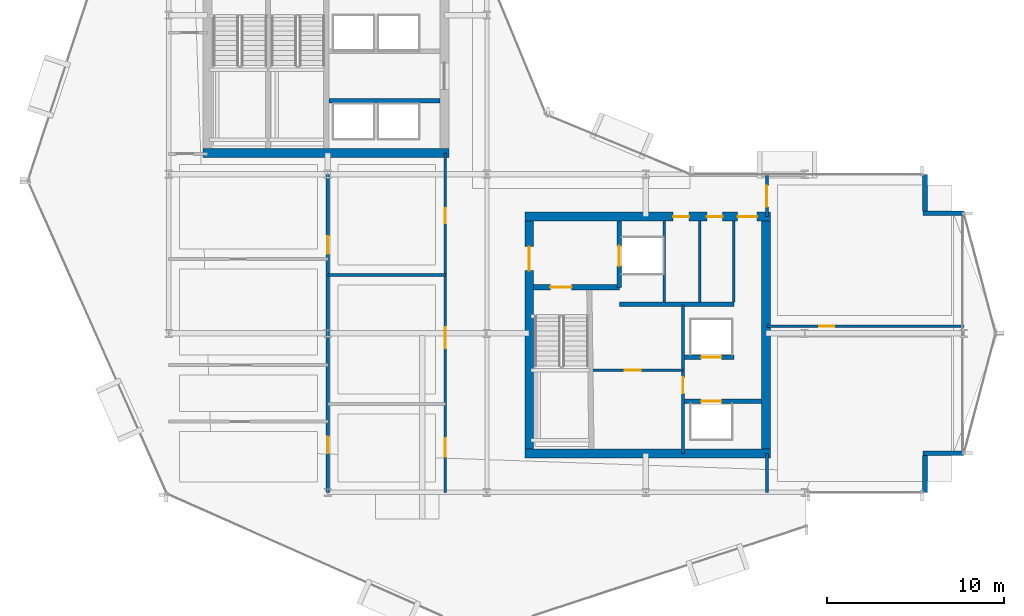
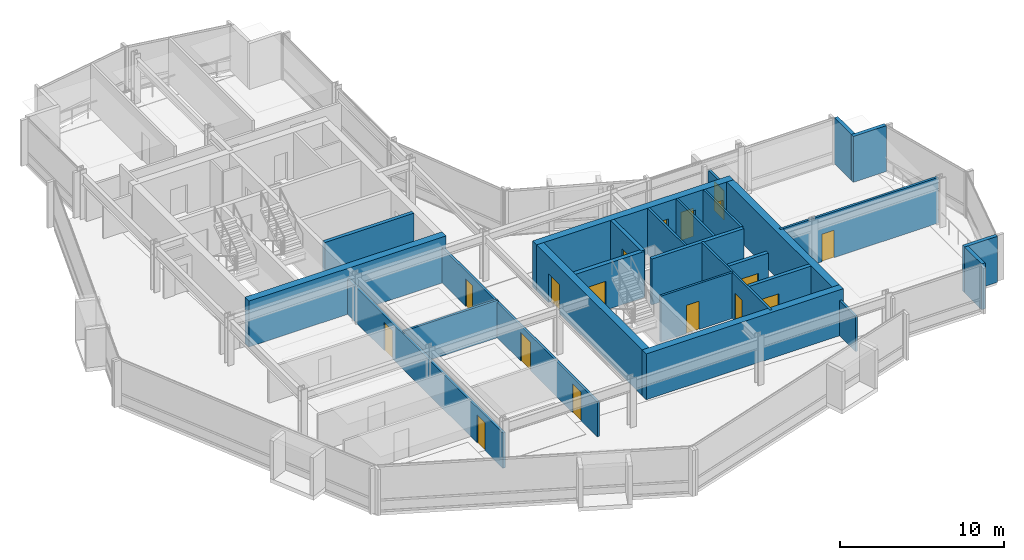
# One storey, part 22 of 29: 26 walls, 17 doors, 17 openings.
"""IFC4 building model written with IfcOpenShell, lengths in metres."""

import ifcopenshell
import ifcopenshell.guid

model = None  # the IFC model being written
_history = None  # IfcOwnerHistory: only IFC2X3 demands one
_inside = {}  # id of a spatial element -> (the spatial element, [elements in it])
_under = {}  # id of a project, library or spatial element -> (it, [spatial elements below it])
_declared = {}  # id of a project -> (the project, [libraries it declares])
_typed = {}  # id of a type object -> (the type object, [elements of that type])
_made_of = {}  # id of a material, layer set ... -> (it, [elements and type objects made of it])


def new_model(schema):
    """Start an empty IFC model of exactly this schema.

    Asked for "IFC4X3", IfcOpenShell would pick the latest addendum, in which some entities
    have other attributes; the version numbers below select the first issue.
    IFC2X3 requires an IfcOwnerHistory on every rooted entity: one is made here for all.
    """
    global model, _history
    if schema == "IFC4X3":
        model = ifcopenshell.file(schema_version=(4, 3, 0, 0))
    else:
        model = ifcopenshell.file(schema=schema)
    _inside.clear()
    _under.clear()
    _declared.clear()
    _typed.clear()
    _made_of.clear()
    _history = None
    if model.schema == "IFC2X3":
        org = make("IfcOrganization", Name="unknown")
        user = make(
            "IfcPersonAndOrganization",
            ThePerson=make("IfcPerson", FamilyName="unknown"),
            TheOrganization=org,
        )
        app = make(
            "IfcApplication",
            ApplicationDeveloper=org,
            Version="unknown",
            ApplicationFullName="unknown",
            ApplicationIdentifier="unknown",
        )
        _history = make(
            "IfcOwnerHistory",
            OwningUser=user,
            OwningApplication=app,
            ChangeAction="ADDED",
            CreationDate=0,
        )
    return model


def make(cls, **values):
    """One entity of the class cls with the attributes given. An attribute that is None is left unset."""
    return model.create_entity(
        cls, **{name: value for name, value in values.items() if value is not None}
    )


def rooted(cls, **values):
    """An entity with a GlobalId (a new one), such as an element, a storey or a relation."""
    return make(cls, GlobalId=ifcopenshell.guid.new(), OwnerHistory=_history, **values)


def si_unit(unit_type, name, prefix=None):
    """IfcSIUnit, for example si_unit("LENGTHUNIT", "METRE", prefix="MILLI")."""
    return make("IfcSIUnit", UnitType=unit_type, Prefix=prefix, Name=name)


def assignment(units):
    """IfcUnitAssignment: the units of a project."""
    return None if units is None else make("IfcUnitAssignment", Units=units)


def point(xyz):
    """IfcCartesianPoint."""
    return None if xyz is None else make("IfcCartesianPoint", Coordinates=xyz)


def direction(xyz):
    """IfcDirection."""
    return None if xyz is None else make("IfcDirection", DirectionRatios=xyz)


def frame(location, z_axis=None, x_axis=None):
    """IfcAxis2Placement3D, a coordinate frame: its origin and axes. An axis left out is left unset."""
    return make(
        "IfcAxis2Placement3D",
        Location=point(location),
        Axis=direction(z_axis),
        RefDirection=direction(x_axis),
    )


def frame_2d(location, x_axis=None):
    """IfcAxis2Placement2D, a coordinate frame in the plane: its origin and x axis."""
    return make(
        "IfcAxis2Placement2D", Location=point(location), RefDirection=direction(x_axis)
    )


def origin():
    """The frame at (0, 0, 0) with its axes left unset."""
    return frame((0.0, 0.0, 0.0))


def place(relative_to, where):
    """IfcLocalPlacement: puts the frame where relative to a parent placement (None: the world)."""
    return make(
        "IfcLocalPlacement", PlacementRelTo=relative_to, RelativePlacement=where
    )


def context(
    kind, dimensions, precision=None, world=None, true_north=None, identifier=None
):
    """IfcGeometricRepresentationContext, for example the 3D "Model" context."""
    return make(
        "IfcGeometricRepresentationContext",
        ContextIdentifier=identifier,
        ContextType=kind,
        CoordinateSpaceDimension=dimensions,
        Precision=precision,
        WorldCoordinateSystem=world,
        TrueNorth=true_north,
    )


def subcontext(parent, identifier, kind, view, scale=None):
    """IfcGeometricRepresentationSubContext, for example "Body" below "Model"."""
    return make(
        "IfcGeometricRepresentationSubContext",
        ContextIdentifier=identifier,
        ContextType=kind,
        ParentContext=parent,
        TargetScale=scale,
        TargetView=view,
    )


def project(units=None, contexts=None):
    """IfcProject with its units and contexts."""
    return rooted(
        "IfcProject",
        Name="project",
        RepresentationContexts=contexts,
        UnitsInContext=assignment(units),
    )


def spatial(cls, under=None, at=None, **own):
    """A site, building, storey or space (cls), placed at a placement, below another one or the project."""
    s = rooted(cls, ObjectPlacement=at, **own)
    if under is not None:
        _under.setdefault(under.id(), (under, []))[1].append(s)
    return s


def profile(cls, at=None, kind="AREA", **sizes):
    """A parametric profile (cls). Its sizes go by their IFC names, for example OverallWidth=200.0."""
    return make(cls, ProfileType=kind, Position=at, **sizes)


def rectangle(**sizes):
    """IfcRectangleProfileDef."""
    return profile("IfcRectangleProfileDef", **sizes)


def extrude(swept, where, along, depth):
    """IfcExtrudedAreaSolid: the profile swept, set in the frame where, extruded along a direction by depth."""
    return make(
        "IfcExtrudedAreaSolid",
        SweptArea=swept,
        Position=where,
        ExtrudedDirection=direction(along),
        Depth=depth,
    )


def shape(context_of_items, identifier, shape_type, items):
    """IfcShapeRepresentation: the items that make up one representation, for example the "Body"."""
    return make(
        "IfcShapeRepresentation",
        ContextOfItems=context_of_items,
        RepresentationIdentifier=identifier,
        RepresentationType=shape_type,
        Items=items,
    )


def material(Name=None, Category=None):
    """IfcMaterial."""
    return make("IfcMaterial", Name=Name, Category=Category)


def layer(
    of_material, thickness, ventilated=None, Name=None, Category=None, Priority=None
):
    """IfcMaterialLayer: one layer of a wall or slab, of a material (None: an air gap)."""
    return make(
        "IfcMaterialLayer",
        Material=of_material,
        LayerThickness=thickness,
        IsVentilated=ventilated,
        Name=Name,
        Category=Category,
        Priority=Priority,
    )


def layer_set(layers, Name=None):
    """IfcMaterialLayerSet."""
    return make("IfcMaterialLayerSet", MaterialLayers=layers, LayerSetName=Name)


def made_of(thing, what):
    """Note that an element or type object is made of a material, layer set ...; save() writes the relation."""
    if what is not None:
        _made_of.setdefault(what.id(), (what, []))[1].append(thing)
    return thing


def type_object(cls, material=None, **own):
    """A type object (cls), such as IfcWallType, which elements share."""
    return made_of(rooted(cls, **own), material)


def element(
    cls,
    number,
    at=None,
    inside=None,
    cuts=None,
    type_object=None,
    material=None,
    context=None,
    identifier="Body",
    shape_type=None,
    held_by="IfcProductDefinitionShape",
    body=None,
    shapes=None,
    **own,
):
    """One element of the class cls, such as IfcWall. Its Tag is "e" and its number.

    at: its placement. inside: the storey or other place that contains it. cuts: it is an
    opening in that element (IfcRelVoidsElement). A single representation is given by context,
    identifier, shape_type and body (its items); several are given by shapes. held_by: the class
    of the entity that holds the representations. save() writes the other relations.
    """
    e = rooted(cls, Tag="e%d" % number, ObjectPlacement=at, **own)
    if body is not None:
        shapes = [shape(context, identifier, shape_type, body)]
    if shapes is not None:
        e.Representation = make(held_by, Representations=shapes)
    if inside is not None:
        _inside.setdefault(inside.id(), (inside, []))[1].append(e)
    if cuts is not None:
        rooted(
            "IfcRelVoidsElement", RelatingBuildingElement=cuts, RelatedOpeningElement=e
        )
    if type_object is not None:
        _typed.setdefault(type_object.id(), (type_object, []))[1].append(e)
    return made_of(e, material)


def fill(opening, filler):
    """IfcRelFillsElement: the door or window that sits in an opening."""
    return rooted(
        "IfcRelFillsElement",
        RelatingOpeningElement=opening,
        RelatedBuildingElement=filler,
    )


def aggregate(whole, parts):
    """IfcRelAggregates: a whole, such as a stair, and the parts it consists of."""
    return rooted("IfcRelAggregates", RelatingObject=whole, RelatedObjects=parts)


def save(model, path):
    """Write the relations noted so far, then the file.

    IfcRelAggregates (storeys below a building ...), IfcRelContainedInSpatialStructure (elements
    in a storey), IfcRelDefinesByType, IfcRelAssociatesMaterial and IfcRelDeclares: one each for
    every whole, place, type object, material and project.
    """
    for whole, parts in _under.values():
        aggregate(whole, parts)
    for where, things in _inside.values():
        rooted(
            "IfcRelContainedInSpatialStructure",
            RelatedElements=things,
            RelatingStructure=where,
        )
    for kind, things in _typed.values():
        rooted("IfcRelDefinesByType", RelatedObjects=things, RelatingType=kind)
    for what, things in _made_of.values():
        rooted("IfcRelAssociatesMaterial", RelatedObjects=things, RelatingMaterial=what)
    for by, libraries in _declared.values():
        rooted("IfcRelDeclares", RelatingContext=by, RelatedDefinitions=libraries)
    model.write(path)


model = new_model("IFC4")

# Units and contexts
model_context = context("Model", 3, precision=1e-05, world=origin(), true_north=direction((0.0, 1.0)))
body_context = subcontext(model_context, "Body", "Model", "MODEL_VIEW")
ifc_project = project(units=[si_unit("LENGTHUNIT", "METRE"), si_unit("AREAUNIT", "SQUARE_METRE"), si_unit("VOLUMEUNIT", "CUBIC_METRE"), si_unit("PLANEANGLEUNIT", "RADIAN"), si_unit("MASSUNIT", "GRAM", prefix="KILO")], contexts=[model_context])

# Site, building, storey
site_placement = place(None, origin())
site = spatial("IfcSite", under=ifc_project, at=site_placement, CompositionType="ELEMENT")
building_placement = place(site_placement, origin())
building = spatial("IfcBuilding", under=site, at=building_placement, Name="Solvaryn Broadcast Tower", CompositionType="ELEMENT")
storey_placement = place(building_placement, frame((0.0, 0.0, 128.5)))
storey = spatial("IfcBuildingStorey", under=building, at=storey_placement, Name="L31", CompositionType="ELEMENT", Elevation=128.5)

# Walls
ifc_material_1 = material(Name="Concrete f'c 70 MPa", Category="concrete")
ifc_layer_1 = layer(ifc_material_1, 0.5)
ifc_layer_set_1 = layer_set([ifc_layer_1], Name="CW-SHEAR-500")
wall_type_1 = type_object("IfcWallType", Name="CW-SHEAR-500", PredefinedType="SHEAR", material=ifc_layer_set_1)
for number, where, z_axis, x_axis, name in (
    (1, (10.949951171875, 28.199951171875, 0.0), (0.0, 0.0, 1.0), (1.0, 0.0, 0.0), "L31 West Core South Shear Wall"),
    (2, (29.14990234375, 11.199951171875, 0.0), (0.0, 0.0, 1.0), (1.0, 0.0, 0.0), "L31 East Core South Shear Wall"),
):
    element("IfcWall", number, at=place(storey_placement, frame(where, z_axis=z_axis, x_axis=x_axis)), inside=storey, type_object=wall_type_1, Name=name, PredefinedType="SHEAR", context=body_context, shape_type="SweptSolid", body=[
        extrude(rectangle(XDim=13.900146484375, YDim=0.5, at=frame_2d((6.9501953125, 0.0))), origin(), (0.0, 0.0, 1.0), 3.419921875),
    ])

# Wall, openings, doors
wall_1_placement = place(storey_placement, frame((43.050048828125, 24.60009765625, 0.0), z_axis=(0.0, 0.0, 1.0), x_axis=(-1.0, 0.0, 0.0)))
wall_1 = element("IfcWall", 3, at=wall_1_placement, inside=storey, type_object=wall_type_1, Name="L31 East Core North Shear Wall", PredefinedType="SHEAR", context=body_context, shape_type="SweptSolid", body=[
    extrude(rectangle(XDim=13.900146484375, YDim=0.5, at=frame_2d((6.9501953125, 0.0))), origin(), (0.0, 0.0, 1.0), 3.419921875),
])
opening_1_placement = place(wall_1_placement, frame((0.75, 0.0, 0.0)))
opening_1 = element("IfcOpeningElement", 4, at=opening_1_placement, cuts=wall_1, Name="Opening FD90C", PredefinedType="OPENING", context=body_context, shape_type="SweptSolid", body=[
    extrude(rectangle(XDim=1.10009765625, YDim=2.14990234375, at=frame_2d((0.550048828125, 1.074951171875))), frame((0.0, 0.260009765625, 0.0), z_axis=(0.0, -1.0, 0.0), x_axis=(1.0, 0.0, 0.0)), (0.0, 0.0, 1.0), 0.52001953125),
])
opening_2_placement = place(wall_1_placement, frame((2.699951171875, 0.0, 0.0)))
opening_2 = element("IfcOpeningElement", 5, at=opening_2_placement, cuts=wall_1, Name="Opening FD60C", PredefinedType="OPENING", context=body_context, shape_type="SweptSolid", body=[
    extrude(rectangle(XDim=0.89990234375, YDim=2.10009765625, at=frame_2d((0.449951171875, 1.050048828125))), frame((0.0, 0.260009765625, 0.0), z_axis=(0.0, -1.0, 0.0), x_axis=(1.0, 0.0, 0.0)), (0.0, 0.0, 1.0), 0.52001953125),
])
opening_3_placement = place(wall_1_placement, frame((4.60009765625, 0.0, 0.0)))
opening_3 = element("IfcOpeningElement", 6, at=opening_3_placement, cuts=wall_1, Name="Opening FD60C", PredefinedType="OPENING", context=body_context, shape_type="SweptSolid", body=[
    extrude(rectangle(XDim=0.89990234375, YDim=2.10009765625, at=frame_2d((0.449951171875, 1.050048828125))), frame((0.0, 0.260009765625, 0.0), z_axis=(0.0, -1.0, 0.0), x_axis=(1.0, 0.0, 0.0)), (0.0, 0.0, 1.0), 0.52001953125),
])
ifc_material_2 = material(Name="Flush Acoustic Steel and Timber Door Assembly", Category="steel")
door_type_1 = type_object("IfcDoorType", Name="FD60-SERV-900X2100", OperationType="NOTDEFINED", PredefinedType="DOOR", material=ifc_material_2)
door_1_placement = place(opening_2_placement, origin())
door_1 = element("IfcDoor", 7, at=door_1_placement, inside=storey, type_object=door_type_1, Name="L31 Staff Restroom Door", OperationType="SINGLE_SWING_LEFT", OverallHeight=2.10009765625, OverallWidth=0.89990234375, PredefinedType="DOOR", context=body_context, shape_type="SweptSolid", body=[
    extrude(rectangle(XDim=0.89990234375, YDim=2.10009765625, at=frame_2d((0.449951171875, 1.050048828125))), frame((0.0, 0.02490234375, 0.0), z_axis=(0.0, -1.0, 0.0), x_axis=(1.0, 0.0, 0.0)), (0.0, 0.0, 1.0), 0.050048828125),
])
fill(opening_2, door_1)
door_2_placement = place(opening_3_placement, origin())
door_2 = element("IfcDoor", 8, at=door_2_placement, inside=storey, type_object=door_type_1, Name="L31 Accessible WC Door", OperationType="SINGLE_SWING_RIGHT", OverallHeight=2.10009765625, OverallWidth=0.89990234375, PredefinedType="DOOR", context=body_context, shape_type="SweptSolid", body=[
    extrude(rectangle(XDim=0.89990234375, YDim=2.10009765625, at=frame_2d((0.449951171875, 1.050048828125))), frame((0.0, 0.02490234375, 0.0), z_axis=(0.0, -1.0, 0.0), x_axis=(1.0, 0.0, 0.0)), (0.0, 0.0, 1.0), 0.050048828125),
])
fill(opening_3, door_2)
ifc_material_3 = material(Name="Flush Acoustic Steel and Timber Door Assembly", Category="steel")
door_type_2 = type_object("IfcDoorType", Name="FD90-PLANT-1100X2150", OperationType="NOTDEFINED", PredefinedType="DOOR", material=ifc_material_3)
door_3_placement = place(opening_1_placement, origin())
door_3 = element("IfcDoor", 9, at=door_3_placement, inside=storey, type_object=door_type_2, Name="L31 East Core Lobby Corridor Door", OperationType="SINGLE_SWING_LEFT", OverallHeight=2.14990234375, OverallWidth=1.10009765625, PredefinedType="DOOR", context=body_context, shape_type="SweptSolid", body=[
    extrude(rectangle(XDim=1.10009765625, YDim=2.14990234375, at=frame_2d((0.550048828125, 1.074951171875))), frame((0.0, 0.02490234375, 0.0), z_axis=(0.0, -1.0, 0.0), x_axis=(1.0, 0.0, 0.0)), (0.0, 0.0, 1.0), 0.050048828125),
])
fill(opening_1, door_3)

# Wall, opening, door
wall_2_placement = place(storey_placement, frame((29.39990234375, 24.35009765625, 0.0), z_axis=(0.0, 0.0, 1.0), x_axis=(0.0, -1.0, 0.0)))
wall_2 = element("IfcWall", 10, at=wall_2_placement, inside=storey, type_object=wall_type_1, Name="L31 East Core West Shear Wall", PredefinedType="SHEAR", context=body_context, shape_type="SweptSolid", body=[
    extrude(rectangle(XDim=12.900146484375, YDim=0.5, at=frame_2d((6.4501953125, 0.0))), origin(), (0.0, 0.0, 1.0), 3.419921875),
])
opening_4_placement = place(wall_2_placement, frame((1.449951171875, 0.0, 0.0)))
opening_4 = element("IfcOpeningElement", 11, at=opening_4_placement, cuts=wall_2, Name="Opening FD90B", PredefinedType="OPENING", context=body_context, shape_type="SweptSolid", body=[
    extrude(rectangle(XDim=1.35009765625, YDim=2.14990234375, at=frame_2d((0.675048828125, 1.074951171875))), frame((0.0, 0.260009765625, 0.0), z_axis=(0.0, -1.0, 0.0), x_axis=(1.0, 0.0, 0.0)), (0.0, 0.0, 1.0), 0.52001953125),
])
ifc_material_4 = material(Name="Flush Acoustic Steel and Timber Door Assembly", Category="steel")
door_type_3 = type_object("IfcDoorType", Name="FD90-LOBBY-1350X2150", OperationType="NOTDEFINED", PredefinedType="DOOR", material=ifc_material_4)
door_4_placement = place(opening_4_placement, origin())
door_4 = element("IfcDoor", 12, at=door_4_placement, inside=storey, type_object=door_type_3, Name="L31 East FSAE Lobby Door", OperationType="SINGLE_SWING_RIGHT", OverallHeight=2.14990234375, OverallWidth=1.35009765625, PredefinedType="DOOR", context=body_context, shape_type="SweptSolid", body=[
    extrude(rectangle(XDim=1.35009765625, YDim=2.14990234375, at=frame_2d((0.675048828125, 1.074951171875))), frame((0.0, 0.02490234375, 0.0), z_axis=(0.0, -1.0, 0.0), x_axis=(1.0, 0.0, 0.0)), (0.0, 0.0, 1.0), 0.050048828125),
])
fill(opening_4, door_4)

# Walls
wall_3_placement = place(storey_placement, frame((42.800048828125, 11.449951171875, 0.0), z_axis=(0.0, 0.0, 1.0), x_axis=(0.0, 1.0, 0.0)))
element("IfcWall", 13, at=wall_3_placement, inside=storey, type_object=wall_type_1, Name="L31 East Core East Shear Wall", PredefinedType="SHEAR", context=body_context, shape_type="SweptSolid", body=[
    extrude(rectangle(XDim=12.900146484375, YDim=0.5, at=frame_2d((6.4501953125, 0.0))), origin(), (0.0, 0.0, 1.0), 3.419921875),
])
ifc_material_5 = material(Name="Concrete f'c 50 MPa", Category="concrete")
ifc_layer_2 = layer(ifc_material_5, 0.260009765625)
ifc_layer_set_2 = layer_set([ifc_layer_2], Name="EW-PIER-260")
wall_type_2 = type_object("IfcWallType", Name="EW-PIER-260", PredefinedType="SOLIDWALL", material=ifc_layer_set_2)
wall_4_placement = place(storey_placement, frame((51.800048828125, 9.0, 0.0), z_axis=(0.0, 0.0, 1.0), x_axis=(0.0, 1.0, 0.0)))
element("IfcWall", 14, at=wall_4_placement, inside=storey, type_object=wall_type_2, Name="L31 Notched Corner Pier Wall NSE1", PredefinedType="SOLIDWALL", context=body_context, shape_type="SweptSolid", body=[
    extrude(rectangle(XDim=2.080078125, YDim=0.260009765625, at=frame_2d((1.0400390625, 0.0))), origin(), (0.0, 0.0, 1.0), 3.419921875),
])
for number, where, z_axis, x_axis, name in (
    (15, (51.679931640625, 11.199951171875, 0.0), (0.0, 0.0, 1.0), (1.0, 0.0, 0.0), "L31 Notched Corner Pier Wall NSE2"),
    (16, (54.0, 24.800048828125, 0.0), (0.0, 0.0, 1.0), (-1.0, 0.0, 0.0), "L31 Notched Corner Pier Wall NEE1"),
):
    element("IfcWall", number, at=place(storey_placement, frame(where, z_axis=z_axis, x_axis=x_axis)), inside=storey, type_object=wall_type_2, Name=name, PredefinedType="SOLIDWALL", context=body_context, shape_type="SweptSolid", body=[
        extrude(rectangle(XDim=2.320068359375, YDim=0.260009765625, at=frame_2d((1.16015625, 0.0))), origin(), (0.0, 0.0, 1.0), 3.419921875),
    ])
wall_5_placement = place(storey_placement, frame((51.800048828125, 24.919921875, 0.0), z_axis=(0.0, 0.0, 1.0), x_axis=(0.0, 1.0, 0.0)))
element("IfcWall", 17, at=wall_5_placement, inside=storey, type_object=wall_type_2, Name="L31 Notched Corner Pier Wall NEE2", PredefinedType="SOLIDWALL", context=body_context, shape_type="SweptSolid", body=[
    extrude(rectangle(XDim=2.080078125, YDim=0.260009765625, at=frame_2d((1.0400390625, 0.0))), origin(), (0.0, 0.0, 1.0), 3.419921875),
])

# Wall, opening, door
ifc_material_6 = material(Name="Metal-Stud Service Core Partition")
ifc_layer_3 = layer(ifc_material_6, 0.14990234375)
ifc_layer_set_3 = layer_set([ifc_layer_3], Name="IW-PART-150")
wall_type_3 = type_object("IfcWallType", Name="IW-PART-150", PredefinedType="PARTITIONING", material=ifc_layer_set_3)
wall_6_placement = place(storey_placement, frame((33.0, 15.89990234375, 0.0), z_axis=(0.0, 0.0, 1.0), x_axis=(1.0, 0.0, 0.0)))
wall_6 = element("IfcWall", 18, at=wall_6_placement, inside=storey, type_object=wall_type_3, Name="L31 Interior Partition IW-L31-RPL-H", PredefinedType="PARTITIONING", context=body_context, shape_type="SweptSolid", body=[
    extrude(rectangle(XDim=5.10009765625, YDim=0.14990234375, at=frame_2d((2.550048828125, 0.0))), origin(), (0.0, 0.0, 1.0), 3.419921875),
])
opening_5_placement = place(wall_6_placement, frame((1.800048828125, 0.0, 0.0)))
opening_5 = element("IfcOpeningElement", 19, at=opening_5_placement, cuts=wall_6, Name="Opening FD60C", PredefinedType="OPENING", context=body_context, shape_type="SweptSolid", body=[
    extrude(rectangle(XDim=0.89990234375, YDim=2.10009765625, at=frame_2d((0.449951171875, 1.050048828125))), frame((0.0, 0.0849609375, 0.0), z_axis=(0.0, -1.0, 0.0), x_axis=(1.0, 0.0, 0.0)), (0.0, 0.0, 1.0), 0.169921875),
])
door_5_placement = place(opening_5_placement, origin())
door_5 = element("IfcDoor", 20, at=door_5_placement, inside=storey, type_object=door_type_1, Name="L31 Door DR-L31-RPL1", OperationType="SINGLE_SWING_RIGHT", OverallHeight=2.10009765625, OverallWidth=0.89990234375, PredefinedType="DOOR", context=body_context, shape_type="SweptSolid", body=[
    extrude(rectangle(XDim=0.89990234375, YDim=2.10009765625, at=frame_2d((0.449951171875, 1.050048828125))), frame((0.0, 0.02490234375, 0.0), z_axis=(0.0, -1.0, 0.0), x_axis=(1.0, 0.0, 0.0)), (0.0, 0.0, 1.0), 0.050048828125),
])
fill(opening_5, door_5)

wall_7_placement = place(storey_placement, frame((38.10009765625, 11.199951171875, 0.0), z_axis=(0.0, 0.0, 1.0), x_axis=(0.0, 1.0, 0.0)))
wall_7 = element("IfcWall", 21, at=wall_7_placement, inside=storey, type_object=wall_type_3, Name="L31 Interior Partition IW-L31-RPL-E", PredefinedType="PARTITIONING", context=body_context, shape_type="SweptSolid", body=[
    extrude(rectangle(XDim=8.400146484375, YDim=0.14990234375, at=frame_2d((4.2001953125, 0.0))), origin(), (0.0, 0.0, 1.0), 3.419921875),
])
opening_6_placement = place(wall_7_placement, frame((3.39990234375, 0.0, 0.0)))
opening_6 = element("IfcOpeningElement", 22, at=opening_6_placement, cuts=wall_7, Name="Opening FD60C", PredefinedType="OPENING", context=body_context, shape_type="SweptSolid", body=[
    extrude(rectangle(XDim=0.89990234375, YDim=2.10009765625, at=frame_2d((0.449951171875, 1.050048828125))), frame((0.0, 0.0849609375, 0.0), z_axis=(0.0, -1.0, 0.0), x_axis=(1.0, 0.0, 0.0)), (0.0, 0.0, 1.0), 0.169921875),
])
door_6_placement = place(opening_6_placement, origin())
door_6 = element("IfcDoor", 23, at=door_6_placement, inside=storey, type_object=door_type_1, Name="L31 Door DR-L31-RPL2", OperationType="SINGLE_SWING_LEFT", OverallHeight=2.10009765625, OverallWidth=0.89990234375, PredefinedType="DOOR", context=body_context, shape_type="SweptSolid", body=[
    extrude(rectangle(XDim=0.89990234375, YDim=2.10009765625, at=frame_2d((0.449951171875, 1.050048828125))), frame((0.0, 0.02490234375, 0.0), z_axis=(0.0, -1.0, 0.0), x_axis=(1.0, 0.0, 0.0)), (0.0, 0.0, 1.0), 0.050048828125),
])
fill(opening_6, door_6)

# Walls
for number, where, z_axis, x_axis, name in (
    (24, (37.050048828125, 19.780029296875, 0.0), (0.0, 0.0, 1.0), (0.0, 1.0, 0.0), "L31 Interior Partition IW-L31-CE-FL2E"),
    (25, (39.050048828125, 19.780029296875, 0.0), (0.0, 0.0, 1.0), (0.0, 1.0, 0.0), "L31 Interior Partition IW-L31-CE-V1"),
    (26, (40.97998046875, 19.780029296875, 0.0), (0.0, 0.0, 1.0), (0.0, 1.0, 0.0), "L31 Interior Partition IW-L31-CE-V3"),
):
    element("IfcWall", number, at=place(storey_placement, frame(where, z_axis=z_axis, x_axis=x_axis)), inside=storey, type_object=wall_type_3, Name=name, PredefinedType="PARTITIONING", context=body_context, shape_type="SweptSolid", body=[
        extrude(rectangle(XDim=4.570068359375, YDim=0.14990234375, at=frame_2d((2.28515625, 0.0))), origin(), (0.0, 0.0, 1.0), 3.419921875),
    ])

# Wall, openings, doors
ifc_material_7 = material(Name="Metal-Stud Gypsum Office Partition")
ifc_layer_4 = layer(ifc_material_7, 0.159912109375)
ifc_layer_set_4 = layer_set([ifc_layer_4], Name="IW-PART-160")
wall_type_4 = type_object("IfcWallType", Name="IW-PART-160", PredefinedType="PARTITIONING", material=ifc_layer_set_4)
wall_8_placement = place(storey_placement, frame((24.64990234375, 9.0, 0.0), z_axis=(0.0, 0.0, 1.0), x_axis=(0.0, 1.0, 0.0)))
wall_8 = element("IfcWall", 27, at=wall_8_placement, inside=storey, type_object=wall_type_4, Name="L31 Interior Partition IW-L31-SW-EB", PredefinedType="PARTITIONING", context=body_context, shape_type="SweptSolid", body=[
    extrude(rectangle(XDim=19.199951171875, YDim=0.159912109375, at=frame_2d((9.60009765625, 0.0))), origin(), (0.0, 0.0, 1.0), 2.634033203125),
])
opening_7_placement = place(wall_8_placement, frame((2.0, 0.0, 0.0)))
opening_7 = element("IfcOpeningElement", 28, at=opening_7_placement, cuts=wall_8, Name="Opening ID03", PredefinedType="OPENING", context=body_context, shape_type="SweptSolid", body=[
    extrude(rectangle(XDim=1.050048828125, YDim=2.14990234375, at=frame_2d((0.52490234375, 1.074951171875))), frame((0.0, 0.090087890625, 0.0), z_axis=(0.0, -1.0, 0.0), x_axis=(1.0, 0.0, 0.0)), (0.0, 0.0, 1.0), 0.179931640625),
])
opening_8_placement = place(wall_8_placement, frame((8.14990234375, 0.0, 0.0)))
opening_8 = element("IfcOpeningElement", 29, at=opening_8_placement, cuts=wall_8, Name="Opening ID04", PredefinedType="OPENING", context=body_context, shape_type="SweptSolid", body=[
    extrude(rectangle(XDim=1.199951171875, YDim=2.14990234375, at=frame_2d((0.60009765625, 1.074951171875))), frame((0.0, 0.090087890625, 0.0), z_axis=(0.0, -1.0, 0.0), x_axis=(1.0, 0.0, 0.0)), (0.0, 0.0, 1.0), 0.179931640625),
])
opening_9_placement = place(wall_8_placement, frame((15.215087890625, 0.0, 0.0)))
opening_9 = element("IfcOpeningElement", 30, at=opening_9_placement, cuts=wall_8, Name="Opening ID07", PredefinedType="OPENING", context=body_context, shape_type="SweptSolid", body=[
    extrude(rectangle(XDim=0.860107421875, YDim=2.050048828125, at=frame_2d((0.43017578125, 1.02490234375))), frame((0.0, 0.090087890625, 0.0), z_axis=(0.0, -1.0, 0.0), x_axis=(1.0, 0.0, 0.0)), (0.0, 0.0, 1.0), 0.179931640625),
])
ifc_material_8 = material(Name="Flush Acoustic Steel and Timber Door Assembly", Category="steel")
door_type_4 = type_object("IfcDoorType", Name="ID-03-1050X2150", OperationType="NOTDEFINED", PredefinedType="DOOR", material=ifc_material_8)
door_7_placement = place(opening_7_placement, origin())
door_7 = element("IfcDoor", 31, at=door_7_placement, inside=storey, type_object=door_type_4, Name="L31 Door DR-L31-SWE-1", OperationType="SINGLE_SWING_LEFT", OverallHeight=2.14990234375, OverallWidth=1.050048828125, PredefinedType="DOOR", context=body_context, shape_type="SweptSolid", body=[
    extrude(rectangle(XDim=1.050048828125, YDim=2.14990234375, at=frame_2d((0.52490234375, 1.074951171875))), frame((0.0, 0.02490234375, 0.0), z_axis=(0.0, -1.0, 0.0), x_axis=(1.0, 0.0, 0.0)), (0.0, 0.0, 1.0), 0.050048828125),
])
fill(opening_7, door_7)
ifc_material_9 = material(Name="Flush Acoustic Steel and Timber Door Assembly", Category="steel")
door_type_5 = type_object("IfcDoorType", Name="ID-04-1200X2150", OperationType="NOTDEFINED", PredefinedType="DOOR", material=ifc_material_9)
door_8_placement = place(opening_8_placement, origin())
door_8 = element("IfcDoor", 32, at=door_8_placement, inside=storey, type_object=door_type_5, Name="L31 Door DR-L31-SWE-2", OperationType="SINGLE_SWING_RIGHT", OverallHeight=2.14990234375, OverallWidth=1.199951171875, PredefinedType="DOOR", context=body_context, shape_type="SweptSolid", body=[
    extrude(rectangle(XDim=1.199951171875, YDim=2.14990234375, at=frame_2d((0.60009765625, 1.074951171875))), frame((0.0, 0.02490234375, 0.0), z_axis=(0.0, -1.0, 0.0), x_axis=(1.0, 0.0, 0.0)), (0.0, 0.0, 1.0), 0.050048828125),
])
fill(opening_8, door_8)
ifc_material_10 = material(Name="Flush Acoustic Steel and Timber Door Assembly", Category="steel")
door_type_6 = type_object("IfcDoorType", Name="ID-07-860X2050", OperationType="NOTDEFINED", PredefinedType="DOOR", material=ifc_material_10)
door_9_placement = place(opening_9_placement, origin())
door_9 = element("IfcDoor", 33, at=door_9_placement, inside=storey, type_object=door_type_6, Name="L31 Door DR-L31-SWE-3", OperationType="SINGLE_SWING_LEFT", OverallHeight=2.050048828125, OverallWidth=0.860107421875, PredefinedType="DOOR", context=body_context, shape_type="SweptSolid", body=[
    extrude(rectangle(XDim=0.860107421875, YDim=2.050048828125, at=frame_2d((0.43017578125, 1.02490234375))), frame((0.0, 0.02490234375, 0.0), z_axis=(0.0, -1.0, 0.0), x_axis=(1.0, 0.0, 0.0)), (0.0, 0.0, 1.0), 0.050048828125),
])
fill(opening_9, door_9)

# Walls
wall_9_placement = place(storey_placement, frame((18.0, 21.300048828125, 0.0), z_axis=(0.0, 0.0, 1.0), x_axis=(1.0, 0.0, 0.0)))
element("IfcWall", 34, at=wall_9_placement, inside=storey, type_object=wall_type_4, Name="L31 Interior Partition IW-L31-SWE-H2", PredefinedType="PARTITIONING", context=body_context, shape_type="SweptSolid", body=[
    extrude(rectangle(XDim=6.64990234375, YDim=0.159912109375, at=frame_2d((3.324951171875, 0.0))), origin(), (0.0, 0.0, 1.0), 2.7919921875),
])
wall_10_placement = place(storey_placement, frame((42.85009765625, 9.0, 0.0), z_axis=(0.0, 0.0, 1.0), x_axis=(0.0, 1.0, 0.0)))
element("IfcWall", 35, at=wall_10_placement, inside=storey, type_object=wall_type_4, Name="L31 Interior Partition IW-L31-SC-E", PredefinedType="PARTITIONING", context=body_context, shape_type="SweptSolid", body=[
    extrude(rectangle(XDim=2.199951171875, YDim=0.159912109375, at=frame_2d((1.10009765625, 0.0))), origin(), (0.0, 0.0, 1.0), 2.634033203125),
])

# Wall, opening, door
wall_11_placement = place(storey_placement, frame((42.85009765625, 24.60009765625, 0.0), z_axis=(0.0, 0.0, 1.0), x_axis=(0.0, 1.0, 0.0)))
wall_11 = element("IfcWall", 36, at=wall_11_placement, inside=storey, type_object=wall_type_4, Name="L31 Interior Partition IW-L31-EW-BN", PredefinedType="PARTITIONING", context=body_context, shape_type="SweptSolid", body=[
    extrude(rectangle(XDim=2.39990234375, YDim=0.159912109375, at=frame_2d((1.199951171875, 0.0))), origin(), (0.0, 0.0, 1.0), 2.634033203125),
])
opening_10_placement = place(wall_11_placement, frame((0.550048828125, 0.0, 0.0)))
opening_10 = element("IfcOpeningElement", 37, at=opening_10_placement, cuts=wall_11, Name="Opening ID04", PredefinedType="OPENING", context=body_context, shape_type="SweptSolid", body=[
    extrude(rectangle(XDim=1.199951171875, YDim=2.14990234375, at=frame_2d((0.60009765625, 1.074951171875))), frame((0.0, 0.090087890625, 0.0), z_axis=(0.0, -1.0, 0.0), x_axis=(1.0, 0.0, 0.0)), (0.0, 0.0, 1.0), 0.179931640625),
])
door_10_placement = place(opening_10_placement, origin())
door_10 = element("IfcDoor", 38, at=door_10_placement, inside=storey, type_object=door_type_5, Name="L31 Door DR-L31-EW0", OperationType="SINGLE_SWING_RIGHT", OverallHeight=2.14990234375, OverallWidth=1.199951171875, PredefinedType="DOOR", context=body_context, shape_type="SweptSolid", body=[
    extrude(rectangle(XDim=1.199951171875, YDim=2.14990234375, at=frame_2d((0.60009765625, 1.074951171875))), frame((0.0, 0.02490234375, 0.0), z_axis=(0.0, -1.0, 0.0), x_axis=(1.0, 0.0, 0.0)), (0.0, 0.0, 1.0), 0.050048828125),
])
fill(opening_10, door_10)

wall_12_placement = place(storey_placement, frame((42.85009765625, 18.39990234375, 0.0), z_axis=(0.0, 0.0, 1.0), x_axis=(1.0, 0.0, 0.0)))
wall_12 = element("IfcWall", 39, at=wall_12_placement, inside=storey, type_object=wall_type_4, Name="L31 Interior Partition IW-L31-EW-H1", PredefinedType="PARTITIONING", context=body_context, shape_type="SweptSolid", body=[
    extrude(rectangle(XDim=11.14990234375, YDim=0.159912109375, at=frame_2d((5.574951171875, 0.0))), origin(), (0.0, 0.0, 1.0), 3.419921875),
])
opening_11_placement = place(wall_12_placement, frame((2.949951171875, 0.0, 0.0)))
opening_11 = element("IfcOpeningElement", 40, at=opening_11_placement, cuts=wall_12, Name="Opening ID07", PredefinedType="OPENING", context=body_context, shape_type="SweptSolid", body=[
    extrude(rectangle(XDim=0.860107421875, YDim=2.050048828125, at=frame_2d((0.43017578125, 1.02490234375))), frame((0.0, 0.090087890625, 0.0), z_axis=(0.0, -1.0, 0.0), x_axis=(1.0, 0.0, 0.0)), (0.0, 0.0, 1.0), 0.179931640625),
])
door_11_placement = place(opening_11_placement, origin())
door_11 = element("IfcDoor", 41, at=door_11_placement, inside=storey, type_object=door_type_6, Name="L31 Door DR-L31-EW-1", OperationType="SINGLE_SWING_LEFT", OverallHeight=2.050048828125, OverallWidth=0.860107421875, PredefinedType="DOOR", context=body_context, shape_type="SweptSolid", body=[
    extrude(rectangle(XDim=0.860107421875, YDim=2.050048828125, at=frame_2d((0.43017578125, 1.02490234375))), frame((0.0, 0.02490234375, 0.0), z_axis=(0.0, -1.0, 0.0), x_axis=(1.0, 0.0, 0.0)), (0.0, 0.0, 1.0), 0.050048828125),
])
fill(opening_11, door_11)

# Wall, openings, doors
ifc_material_11 = material(Name="Acoustic Metal-Stud Gypsum Partition")
ifc_layer_5 = layer(ifc_material_11, 0.179931640625)
ifc_layer_set_5 = layer_set([ifc_layer_5], Name="IW-PART-180")
wall_type_5 = type_object("IfcWallType", Name="IW-PART-180", PredefinedType="PARTITIONING", material=ifc_layer_set_5)
wall_13_placement = place(storey_placement, frame((18.0, 9.0, 0.0), z_axis=(0.0, 0.0, 1.0), x_axis=(0.0, 1.0, 0.0)))
wall_13 = element("IfcWall", 42, at=wall_13_placement, inside=storey, type_object=wall_type_5, Name="L31 Interior Partition IW-L31-SW-VX", PredefinedType="PARTITIONING", context=body_context, shape_type="SweptSolid", body=[
    extrude(rectangle(XDim=19.1298828125, YDim=0.179931640625, at=frame_2d((9.56494140625, 0.0))), origin(), (0.0, 0.0, 1.0), 2.634033203125),
])
opening_12_placement = place(wall_13_placement, frame((2.199951171875, 0.0, 0.0)))
opening_12 = element("IfcOpeningElement", 43, at=opening_12_placement, cuts=wall_13, Name="Opening ID01", PredefinedType="OPENING", context=body_context, shape_type="SweptSolid", body=[
    extrude(rectangle(XDim=0.949951171875, YDim=2.10009765625, at=frame_2d((0.47509765625, 1.050048828125))), frame((0.0, 0.099853515625, 0.0), z_axis=(0.0, -1.0, 0.0), x_axis=(1.0, 0.0, 0.0)), (0.0, 0.0, 1.0), 0.199951171875),
])
opening_13_placement = place(wall_13_placement, frame((13.5, 0.0, 0.0)))
opening_13 = element("IfcOpeningElement", 44, at=opening_13_placement, cuts=wall_13, Name="Opening ID02", PredefinedType="OPENING", context=body_context, shape_type="SweptSolid", body=[
    extrude(rectangle(XDim=1.0, YDim=2.10009765625, at=frame_2d((0.5, 1.050048828125))), frame((0.0, 0.099853515625, 0.0), z_axis=(0.0, -1.0, 0.0), x_axis=(1.0, 0.0, 0.0)), (0.0, 0.0, 1.0), 0.199951171875),
])
ifc_material_12 = material(Name="Flush Acoustic Steel and Timber Door Assembly", Category="steel")
door_type_7 = type_object("IfcDoorType", Name="ID-01-950X2100", OperationType="NOTDEFINED", PredefinedType="DOOR", material=ifc_material_12)
door_12_placement = place(opening_12_placement, origin())
door_12 = element("IfcDoor", 45, at=door_12_placement, inside=storey, type_object=door_type_7, Name="L31 Door DR-L31-SWW-X1", OperationType="SINGLE_SWING_RIGHT", OverallHeight=2.10009765625, OverallWidth=0.949951171875, PredefinedType="DOOR", context=body_context, shape_type="SweptSolid", body=[
    extrude(rectangle(XDim=0.949951171875, YDim=2.10009765625, at=frame_2d((0.47509765625, 1.050048828125))), frame((0.0, 0.02490234375, 0.0), z_axis=(0.0, -1.0, 0.0), x_axis=(1.0, 0.0, 0.0)), (0.0, 0.0, 1.0), 0.050048828125),
])
fill(opening_12, door_12)
ifc_material_13 = material(Name="Flush Acoustic Steel and Timber Door Assembly", Category="steel")
door_type_8 = type_object("IfcDoorType", Name="ID-02-1000X2100", OperationType="NOTDEFINED", PredefinedType="DOOR", material=ifc_material_13)
door_13_placement = place(opening_13_placement, origin())
door_13 = element("IfcDoor", 46, at=door_13_placement, inside=storey, type_object=door_type_8, Name="L31 Door DR-L31-SWW-X2", OperationType="SINGLE_SWING_LEFT", OverallHeight=2.10009765625, OverallWidth=1.0, PredefinedType="DOOR", context=body_context, shape_type="SweptSolid", body=[
    extrude(rectangle(XDim=1.0, YDim=2.10009765625, at=frame_2d((0.5, 1.050048828125))), frame((0.0, 0.02490234375, 0.0), z_axis=(0.0, -1.0, 0.0), x_axis=(1.0, 0.0, 0.0)), (0.0, 0.0, 1.0), 0.050048828125),
])
fill(opening_13, door_13)

# Wall
ifc_material_14 = material(Name="Concrete f'c 60 MPa", Category="concrete")
ifc_layer_6 = layer(ifc_material_14, 0.25)
ifc_layer_set_6 = layer_set([ifc_layer_6], Name="SW-SHAFT-250")
wall_type_6 = type_object("IfcWallType", Name="SW-SHAFT-250", PredefinedType="PARTITIONING", material=ifc_layer_set_6)
wall_14_placement = place(storey_placement, frame((18.070068359375, 31.14990234375, 0.0), z_axis=(0.0, 0.0, 1.0), x_axis=(1.0, 0.0, 0.0)))
element("IfcWall", 47, at=wall_14_placement, inside=storey, type_object=wall_type_6, Name="L31 High-Rise Lift Bank South Wall", PredefinedType="PARTITIONING", context=body_context, shape_type="SweptSolid", body=[
    extrude(rectangle(XDim=6.280029296875, YDim=0.25, at=frame_2d((3.14013671875, 0.0))), origin(), (0.0, 0.0, 1.0), 3.419921875),
])

# Wall, opening, door
wall_15_placement = place(storey_placement, frame((34.5, 20.60009765625, 0.0), z_axis=(0.0, 0.0, 1.0), x_axis=(0.0, 1.0, 0.0)))
wall_15 = element("IfcWall", 48, at=wall_15_placement, inside=storey, type_object=wall_type_6, Name="L31 East FSAE Lobby East Wall", PredefinedType="PARTITIONING", context=body_context, shape_type="SweptSolid", body=[
    extrude(rectangle(XDim=3.75, YDim=0.25, at=frame_2d((1.875, 0.0))), origin(), (0.0, 0.0, 1.0), 3.419921875),
])
opening_14_placement = place(wall_15_placement, frame((1.199951171875, 0.0, 0.0)))
opening_14 = element("IfcOpeningElement", 49, at=opening_14_placement, cuts=wall_15, Name="Opening LD01", PredefinedType="OPENING", context=body_context, shape_type="SweptSolid", body=[
    extrude(rectangle(XDim=1.14990234375, YDim=2.14990234375, at=frame_2d((0.574951171875, 1.074951171875))), frame((0.0, 0.135009765625, 0.0), z_axis=(0.0, -1.0, 0.0), x_axis=(1.0, 0.0, 0.0)), (0.0, 0.0, 1.0), 0.27001953125),
])
ifc_material_15 = material(Name="Flush Acoustic Steel and Timber Door Assembly", Category="steel")
door_type_9 = type_object("IfcDoorType", Name="LD-LIFT-1150X2150", OperationType="NOTDEFINED", PredefinedType="DOOR", material=ifc_material_15)
door_14_placement = place(opening_14_placement, origin())
door_14 = element("IfcDoor", 50, at=door_14_placement, inside=storey, type_object=door_type_9, Name="L31 FL2 Lift Landing Door", OperationType="DOUBLE_DOOR_SLIDING", OverallHeight=2.14990234375, OverallWidth=1.14990234375, PredefinedType="DOOR", context=body_context, shape_type="SweptSolid", body=[
    extrude(rectangle(XDim=1.14990234375, YDim=2.14990234375, at=frame_2d((0.574951171875, 1.074951171875))), frame((0.0, 0.02490234375, 0.0), z_axis=(0.0, -1.0, 0.0), x_axis=(1.0, 0.0, 0.0)), (0.0, 0.0, 1.0), 0.050048828125),
])
fill(opening_14, door_14)

# Wall
wall_16_placement = place(storey_placement, frame((34.5, 19.64990234375, 0.0), z_axis=(0.0, 0.0, 1.0), x_axis=(1.0, 0.0, 0.0)))
element("IfcWall", 51, at=wall_16_placement, inside=storey, type_object=wall_type_6, Name="L31 East Core Restroom South Wall", PredefinedType="PARTITIONING", context=body_context, shape_type="SweptSolid", body=[
    extrude(rectangle(XDim=6.47998046875, YDim=0.25, at=frame_2d((3.239990234375, 0.0))), origin(), (0.0, 0.0, 1.0), 3.419921875),
])

# Wall, opening, door
wall_17_placement = place(storey_placement, frame((38.199951171875, 14.14990234375, 0.0), z_axis=(0.0, 0.0, 1.0), x_axis=(1.0, 0.0, 0.0)))
wall_17 = element("IfcWall", 52, at=wall_17_placement, inside=storey, type_object=wall_type_6, Name="L31 East Lift Bank South Wall", PredefinedType="PARTITIONING", context=body_context, shape_type="SweptSolid", body=[
    extrude(rectangle(XDim=4.35009765625, YDim=0.25, at=frame_2d((2.175048828125, 0.0))), origin(), (0.0, 0.0, 1.0), 3.419921875),
])
opening_15_placement = place(wall_17_placement, frame((0.925048828125, 0.0, 0.0)))
opening_15 = element("IfcOpeningElement", 53, at=opening_15_placement, cuts=wall_17, Name="Opening LD01", PredefinedType="OPENING", context=body_context, shape_type="SweptSolid", body=[
    extrude(rectangle(XDim=1.14990234375, YDim=2.14990234375, at=frame_2d((0.574951171875, 1.074951171875))), frame((0.0, 0.135009765625, 0.0), z_axis=(0.0, -1.0, 0.0), x_axis=(1.0, 0.0, 0.0)), (0.0, 0.0, 1.0), 0.27001953125),
])
door_15_placement = place(opening_15_placement, origin())
door_15 = element("IfcDoor", 54, at=door_15_placement, inside=storey, type_object=door_type_9, Name="L31 PM1 Lift Landing Door", OperationType="DOUBLE_DOOR_SLIDING", OverallHeight=2.14990234375, OverallWidth=1.14990234375, PredefinedType="DOOR", context=body_context, shape_type="SweptSolid", body=[
    extrude(rectangle(XDim=1.14990234375, YDim=2.14990234375, at=frame_2d((0.574951171875, 1.074951171875))), frame((0.0, 0.02490234375, 0.0), z_axis=(0.0, -1.0, 0.0), x_axis=(1.0, 0.0, 0.0)), (0.0, 0.0, 1.0), 0.050048828125),
])
fill(opening_15, door_15)

wall_18_placement = place(storey_placement, frame((40.97998046875, 16.64990234375, 0.0), z_axis=(0.0, 0.0, 1.0), x_axis=(-1.0, 0.0, 0.0)))
wall_18 = element("IfcWall", 55, at=wall_18_placement, inside=storey, type_object=wall_type_6, Name="L31 East Lift Bank North Wall", PredefinedType="PARTITIONING", context=body_context, shape_type="SweptSolid", body=[
    extrude(rectangle(XDim=2.780029296875, YDim=0.25, at=frame_2d((1.39013671875, 0.0))), origin(), (0.0, 0.0, 1.0), 3.419921875),
])
opening_16_placement = place(wall_18_placement, frame((0.705078125, 0.0, 0.0)))
opening_16 = element("IfcOpeningElement", 56, at=opening_16_placement, cuts=wall_18, Name="Opening LD01", PredefinedType="OPENING", context=body_context, shape_type="SweptSolid", body=[
    extrude(rectangle(XDim=1.14990234375, YDim=2.14990234375, at=frame_2d((0.574951171875, 1.074951171875))), frame((0.0, 0.135009765625, 0.0), z_axis=(0.0, -1.0, 0.0), x_axis=(1.0, 0.0, 0.0)), (0.0, 0.0, 1.0), 0.27001953125),
])
door_16_placement = place(opening_16_placement, origin())
door_16 = element("IfcDoor", 57, at=door_16_placement, inside=storey, type_object=door_type_9, Name="L31 PM2 Lift Landing Door", OperationType="DOUBLE_DOOR_SLIDING", OverallHeight=2.14990234375, OverallWidth=1.14990234375, PredefinedType="DOOR", context=body_context, shape_type="SweptSolid", body=[
    extrude(rectangle(XDim=1.14990234375, YDim=2.14990234375, at=frame_2d((0.574951171875, 1.074951171875))), frame((0.0, 0.02490234375, 0.0), z_axis=(0.0, -1.0, 0.0), x_axis=(1.0, 0.0, 0.0)), (0.0, 0.0, 1.0), 0.050048828125),
])
fill(opening_16, door_16)

ifc_material_16 = material(Name="Concrete f'c 70 MPa", Category="concrete")
ifc_layer_7 = layer(ifc_material_16, 0.300048828125)
ifc_layer_set_7 = layer_set([ifc_layer_7], Name="SW-SHAFT-300")
wall_type_7 = type_object("IfcWallType", Name="SW-SHAFT-300", PredefinedType="SHEAR", material=ifc_layer_set_7)
wall_19_placement = place(storey_placement, frame((34.5, 20.60009765625, 0.0), z_axis=(0.0, 0.0, 1.0), x_axis=(-1.0, 0.0, 0.0)))
wall_19 = element("IfcWall", 58, at=wall_19_placement, inside=storey, type_object=wall_type_7, Name="L31 East FSAE Lobby South Wall", PredefinedType="SHEAR", context=body_context, shape_type="SweptSolid", body=[
    extrude(rectangle(XDim=4.85009765625, YDim=0.300048828125, at=frame_2d((2.425048828125, 0.0))), origin(), (0.0, 0.0, 1.0), 3.419921875),
])
opening_17_placement = place(wall_19_placement, frame((2.699951171875, 0.0, 0.0)))
opening_17 = element("IfcOpeningElement", 59, at=opening_17_placement, cuts=wall_19, Name="Opening FD90A", PredefinedType="OPENING", context=body_context, shape_type="SweptSolid", body=[
    extrude(rectangle(XDim=1.199951171875, YDim=2.14990234375, at=frame_2d((0.60009765625, 1.074951171875))), frame((0.0, 0.159912109375, 0.0), z_axis=(0.0, -1.0, 0.0), x_axis=(1.0, 0.0, 0.0)), (0.0, 0.0, 1.0), 0.320068359375),
])
ifc_material_17 = material(Name="Flush Acoustic Steel and Timber Door Assembly", Category="steel")
door_type_10 = type_object("IfcDoorType", Name="FD90-STAIR-1200X2150", OperationType="NOTDEFINED", PredefinedType="DOOR", material=ifc_material_17)
door_17_placement = place(opening_17_placement, origin())
door_17 = element("IfcDoor", 60, at=door_17_placement, inside=storey, type_object=door_type_10, Name="L31 Stair 3 Fire Door", OperationType="SINGLE_SWING_LEFT", OverallHeight=2.14990234375, OverallWidth=1.199951171875, PredefinedType="DOOR", context=body_context, shape_type="SweptSolid", body=[
    extrude(rectangle(XDim=1.199951171875, YDim=2.14990234375, at=frame_2d((0.60009765625, 1.074951171875))), frame((0.0, 0.02490234375, 0.0), z_axis=(0.0, -1.0, 0.0), x_axis=(1.0, 0.0, 0.0)), (0.0, 0.0, 1.0), 0.050048828125),
])
fill(opening_17, door_17)

save(model, "model.ifc")
